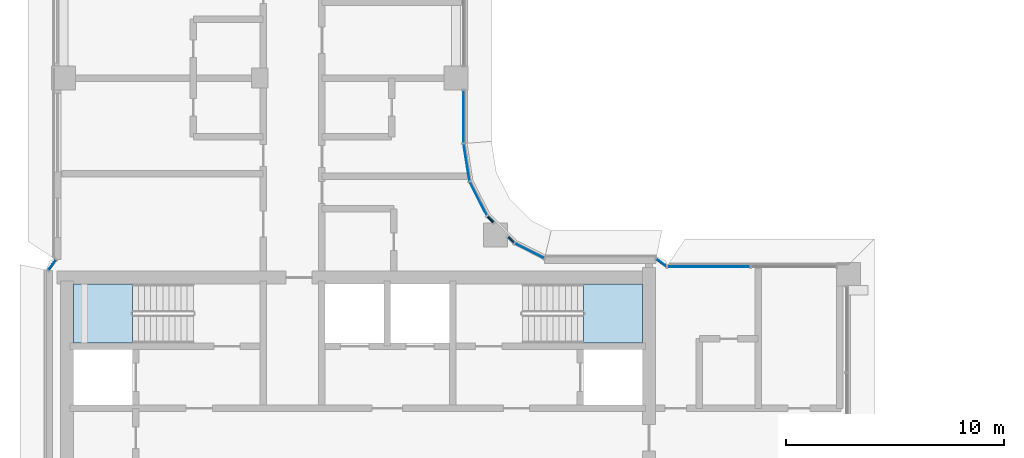
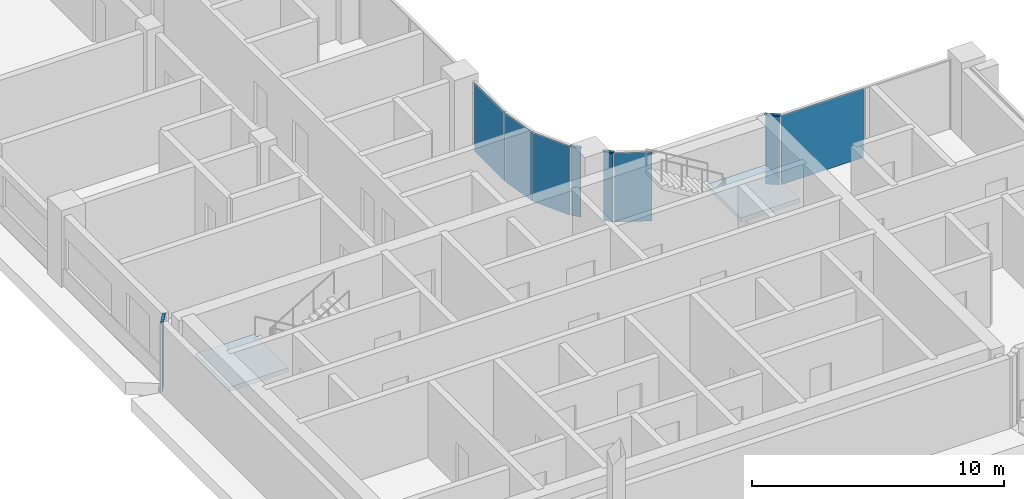
# One storey, part 7 of 24: 9 plates, 4 members, 2 slabs, 8 elements without a shape of their own.
"""IFC4 building model written with IfcOpenShell, lengths in metres."""

from ifc_helpers import new_model, si_unit, direction, frame, origin, origin_2d, place, context, subcontext, project, spatial, polyline, rectangle, outline, extrude, material, layer, layer_set, material_profile, profile_set, type_object, element, aggregate, save


model = new_model("IFC4")

# Units and contexts
model_context = context("Model", 3, precision=1e-05, world=origin(), true_north=direction((0.0, 1.0)))
body_context = subcontext(model_context, "Body", "Model", "MODEL_VIEW")
ifc_project = project(units=[si_unit("LENGTHUNIT", "METRE"), si_unit("AREAUNIT", "SQUARE_METRE"), si_unit("VOLUMEUNIT", "CUBIC_METRE"), si_unit("PLANEANGLEUNIT", "RADIAN"), si_unit("MASSUNIT", "GRAM", prefix="KILO")], contexts=[model_context])

# Site, building, storey
site_placement = place(None, origin())
site = spatial("IfcSite", under=ifc_project, at=site_placement, CompositionType="ELEMENT")
building_placement = place(site_placement, origin())
building = spatial("IfcBuilding", under=site, at=building_placement, Name="Ogive Portal Towers", CompositionType="ELEMENT")
storey_placement = place(building_placement, frame((0.0, 0.0, 153.300048828125)))
storey = spatial("IfcBuildingStorey", under=building, at=storey_placement, Name="L37", CompositionType="ELEMENT", Elevation=153.300048828125)

# Curtain wall, member
ifc_material_1 = material(Name="Glass, clear low-iron insulated glazing", Category="glass")
curtain_wall_type = type_object("IfcCurtainWallType", Name="CW FRONT RIBBON 4500", PredefinedType="NOTDEFINED", material=ifc_material_1)
curtain_wall_1_placement = place(storey_placement, origin())
curtain_wall_1 = element("IfcCurtainWall", 1, at=curtain_wall_1_placement, inside=storey, type_object=curtain_wall_type, Name="A:L37:f00:cwa", PredefinedType="NOTDEFINED")
ifc_material_2 = material(Name="Aluminium 6063 anodised", Category="aluminium")
ifc_material_profile = material_profile(ifc_material_2, rectangle(XDim=0.1201171875, YDim=0.06005859375, at=origin_2d()), Name="AL 120x60")
ifc_profile_set = profile_set([ifc_material_profile], Name="Aluminium 6063 anodised")
member_type = type_object("IfcMemberType", Name="CW TRANSOM 60x120", PredefinedType="USERDEFINED", material=ifc_profile_set)
member_1_placement = place(storey_placement, frame((59.180419921875, 39.844970703125, 3.369873046875), z_axis=(-0.803886334656, 0.594782952809, 0.0), x_axis=(-0.594782952809, -0.803886334656, 0.0)))
member_1 = element("IfcMember", 2, at=member_1_placement, type_object=member_type, Name="transom", ObjectType="TRANSOM", PredefinedType="USERDEFINED", context=body_context, shape_type="SweptSolid", body=[
    extrude(rectangle(XDim=0.1201171875, YDim=0.06005859375, at=origin_2d()), origin(), (0.0, 0.0, 1.0), 0.63037109375),
])

curtain_wall_2_placement = place(storey_placement, origin())
curtain_wall_2 = element("IfcCurtainWall", 3, at=curtain_wall_2_placement, inside=storey, type_object=curtain_wall_type, Name="A:L37:f02:cwa~0", PredefinedType="NOTDEFINED")
member_2_placement = place(storey_placement, frame((52.175537109375, 40.92431640625, 3.369873046875), z_axis=(-0.707106781187, 0.707106781187, 0.0), x_axis=(-0.707106781187, -0.707106781187, 0.0)))
member_2 = element("IfcMember", 4, at=member_2_placement, type_object=member_type, Name="transom", ObjectType="TRANSOM", PredefinedType="USERDEFINED", context=body_context, shape_type="SweptSolid", body=[
    extrude(rectangle(XDim=0.1201171875, YDim=0.06005859375, at=origin_2d()), origin(), (0.0, 0.0, 1.0), 0.446044921875),
])

curtain_wall_3_placement = place(storey_placement, origin())
curtain_wall_3 = element("IfcCurtainWall", 5, at=curtain_wall_3_placement, inside=storey, type_object=curtain_wall_type, Name="A:L37:f02:cwa~1", PredefinedType="NOTDEFINED")
member_3_placement = place(storey_placement, frame((51.23974609375, 41.860107421875, 3.369873046875), z_axis=(-0.707106781187, 0.707106781187, 0.0), x_axis=(-0.707106781187, -0.707106781187, 0.0)))
member_3 = element("IfcMember", 6, at=member_3_placement, type_object=member_type, Name="transom", ObjectType="TRANSOM", PredefinedType="USERDEFINED", context=body_context, shape_type="SweptSolid", body=[
    extrude(rectangle(XDim=0.1201171875, YDim=0.06005859375, at=origin_2d()), origin(), (0.0, 0.0, 1.0), 0.446044921875),
])

curtain_wall_4_placement = place(storey_placement, origin())
curtain_wall_4 = element("IfcCurtainWall", 7, at=curtain_wall_4_placement, inside=storey, type_object=curtain_wall_type, Name="A:L37:f14:cwa", PredefinedType="NOTDEFINED")
member_4_placement = place(storey_placement, frame((31.155029296875, 40.180419921875, 3.369873046875), z_axis=(-0.594782952809, -0.803886334656, 0.0), x_axis=(0.803886334656, -0.594782952809, 0.0)))
member_4 = element("IfcMember", 8, at=member_4_placement, type_object=member_type, Name="transom", ObjectType="TRANSOM", PredefinedType="USERDEFINED", context=body_context, shape_type="SweptSolid", body=[
    extrude(rectangle(XDim=0.1201171875, YDim=0.06005859375, at=origin_2d()), origin(), (0.0, 0.0, 1.0), 0.63037109375),
])

# Curtain wall, plate
curtain_wall_5_placement = place(storey_placement, origin())
curtain_wall_5 = element("IfcCurtainWall", 9, at=curtain_wall_5_placement, inside=storey, type_object=curtain_wall_type, Name="A:L37:f06:cw0~0", PredefinedType="NOTDEFINED")
ifc_layer_1 = layer(ifc_material_1, 0.028076171875)
ifc_layer_set_1 = layer_set([ifc_layer_1], Name="CW PANEL IGU 28")
plate_type = type_object("IfcPlateType", Name="CW PANEL IGU 28", PredefinedType="CURTAIN_PANEL", material=ifc_layer_set_1)
plate_1_placement = place(storey_placement, frame((49.844970703125, 46.721923828125, 0.0), z_axis=(0.0, 0.0, 1.0), x_axis=(0.0, 1.0, 0.0)))
plate_1 = element("IfcPlate", 10, at=plate_1_placement, type_object=plate_type, Name="panel", PredefinedType="CURTAIN_PANEL", context=body_context, shape_type="SweptSolid", body=[
    extrude(rectangle(XDim=2.396240234375, YDim=0.028076171875, at=origin_2d()), origin(), (0.0, 0.0, 1.0), 3.340087890625),
])
aggregate(curtain_wall_5, [plate_1])

curtain_wall_6_placement = place(storey_placement, origin())
curtain_wall_6 = element("IfcCurtainWall", 11, at=curtain_wall_6_placement, inside=storey, type_object=curtain_wall_type, Name="A:L37:f23:cw0", PredefinedType="NOTDEFINED")
plate_2_placement = place(storey_placement, frame((61.09033203125, 39.844970703125, 0.0), z_axis=(0.0, 0.0, 1.0), x_axis=(-1.0, 0.0, 0.0)))
plate_2 = element("IfcPlate", 12, at=plate_2_placement, type_object=plate_type, Name="panel", PredefinedType="CURTAIN_PANEL", context=body_context, shape_type="SweptSolid", body=[
    extrude(rectangle(XDim=3.759521484375, YDim=0.028076171875, at=origin_2d()), origin(), (0.0, 0.0, 1.0), 3.340087890625),
])
aggregate(curtain_wall_6, [plate_2])

# Plate
plate_3_placement = place(storey_placement, frame((58.927001953125, 40.032470703125, 0.0), z_axis=(0.0, 0.0, 1.0), x_axis=(-0.803867261991, 0.594808729844, 0.0)))
plate_3 = element("IfcPlate", 13, at=plate_3_placement, type_object=plate_type, Name="panel", PredefinedType="CURTAIN_PANEL", context=body_context, shape_type="SweptSolid", body=[
    extrude(rectangle(XDim=0.570556640625, YDim=0.028076171875, at=origin_2d()), origin(), (0.0, 0.0, 1.0), 3.340087890625),
])

aggregate(curtain_wall_1, [member_1, plate_3])

plate_4_placement = place(storey_placement, frame((52.866455078125, 40.572021484375, 0.0), z_axis=(0.0, 0.0, 1.0), x_axis=(-0.891006524188, 0.45399049974, 0.0)))
plate_4 = element("IfcPlate", 14, at=plate_4_placement, type_object=plate_type, Name="panel", PredefinedType="CURTAIN_PANEL", context=body_context, shape_type="SweptSolid", body=[
    extrude(rectangle(XDim=1.4912109375, YDim=0.028076171875, at=origin_2d()), origin(), (0.0, 0.0, 1.0), 3.340087890625),
])

plate_5_placement = place(storey_placement, frame((52.017822265625, 41.08203125, 0.0), z_axis=(0.0, 0.0, 1.0), x_axis=(-0.707106781187, 0.707106781187, 0.0)))
plate_5 = element("IfcPlate", 15, at=plate_5_placement, type_object=plate_type, Name="panel", PredefinedType="CURTAIN_PANEL", context=body_context, shape_type="SweptSolid", body=[
    extrude(rectangle(XDim=0.38623046875, YDim=0.028076171875, at=origin_2d()), origin(), (0.0, 0.0, 1.0), 3.340087890625),
])

aggregate(curtain_wall_2, [member_2, plate_4, plate_5])

plate_6_placement = place(storey_placement, frame((51.08203125, 42.017822265625, 0.0), z_axis=(0.0, 0.0, 1.0), x_axis=(-0.707106781187, 0.707106781187, 0.0)))
plate_6 = element("IfcPlate", 16, at=plate_6_placement, type_object=plate_type, Name="panel", PredefinedType="CURTAIN_PANEL", context=body_context, shape_type="SweptSolid", body=[
    extrude(rectangle(XDim=0.38623046875, YDim=0.028076171875, at=origin_2d()), origin(), (0.0, 0.0, 1.0), 3.340087890625),
])

plate_7_placement = place(storey_placement, frame((50.5224609375, 42.9638671875, 0.0), z_axis=(0.0, 0.0, 1.0), x_axis=(-0.45399049974, 0.891006524188, 0.0)))
plate_7 = element("IfcPlate", 17, at=plate_7_placement, type_object=plate_type, Name="panel", PredefinedType="CURTAIN_PANEL", context=body_context, shape_type="SweptSolid", body=[
    extrude(rectangle(XDim=1.70947265625, YDim=0.028076171875, at=origin_2d()), origin(), (0.0, 0.0, 1.0), 3.340087890625),
])

plate_8_placement = place(storey_placement, frame((49.98291015625, 44.623046875, 0.0), z_axis=(0.0, 0.0, 1.0), x_axis=(-0.15643446504, 0.987688340595, 0.0)))
plate_8 = element("IfcPlate", 18, at=plate_8_placement, type_object=plate_type, Name="panel", PredefinedType="CURTAIN_PANEL", context=body_context, shape_type="SweptSolid", body=[
    extrude(rectangle(XDim=1.703125, YDim=0.028076171875, at=origin_2d()), origin(), (0.0, 0.0, 1.0), 3.340087890625),
])

aggregate(curtain_wall_3, [member_3, plate_6, plate_7, plate_8])

plate_9_placement = place(storey_placement, frame((30.967529296875, 39.927001953125, 0.0), z_axis=(0.0, 0.0, 1.0), x_axis=(-0.594808729844, -0.803867261991, 0.0)))
plate_9 = element("IfcPlate", 19, at=plate_9_placement, type_object=plate_type, Name="panel", PredefinedType="CURTAIN_PANEL", context=body_context, shape_type="SweptSolid", body=[
    extrude(rectangle(XDim=0.570556640625, YDim=0.028076171875, at=origin_2d()), origin(), (0.0, 0.0, 1.0), 3.340087890625),
])

aggregate(curtain_wall_4, [member_4, plate_9])

# Stair, slab
ifc_material_3 = material(Name="Concrete C40/50", Category="concrete")
stair_type = type_object("IfcStairType", Name="INT-STAIR", PredefinedType="HALF_TURN_STAIR", material=ifc_material_3)
stair_1_placement = place(storey_placement, origin())
stair_1 = element("IfcStair", 20, at=stair_1_placement, inside=storey, type_object=stair_type, Name="L37 Exit Stair ST-A1", PredefinedType="HALF_TURN_STAIR")
ifc_layer_2 = layer(ifc_material_3, 0.199951171875)
ifc_layer_set_2 = layer_set([ifc_layer_2], Name="INT-LANDING")
slab_type = type_object("IfcSlabType", Name="INT-LANDING", PredefinedType="LANDING", material=ifc_layer_set_2)
slab_1_placement = place(storey_placement, frame((0.0, 0.0, 1.64990234375)))
slab_1 = element("IfcSlab", 21, at=slab_1_placement, type_object=slab_type, Name="ST-A1 landing 1", PredefinedType="LANDING", context=body_context, shape_type="SweptSolid", body=[
    extrude(outline(polyline([(34.64990234375, 39.050048828125), (31.949951171875, 39.050048828125), (31.949951171875, 36.35009765625), (34.64990234375, 36.35009765625), (34.64990234375, 39.050048828125)])), origin(), (0.0, 0.0, 1.0), 0.199951171875),
])
aggregate(stair_1, [slab_1])

stair_2_placement = place(storey_placement, origin())
stair_2 = element("IfcStair", 22, at=stair_2_placement, inside=storey, type_object=stair_type, Name="L37 Exit Stair ST-A2", PredefinedType="HALF_TURN_STAIR")
slab_2_placement = place(storey_placement, frame((0.0, 0.0, 1.64990234375)))
slab_2 = element("IfcSlab", 23, at=slab_2_placement, type_object=slab_type, Name="ST-A2 landing 1", PredefinedType="LANDING", context=body_context, shape_type="SweptSolid", body=[
    extrude(outline(polyline([(55.35009765625, 36.35009765625), (58.050048828125, 36.35009765625), (58.050048828125, 39.050048828125), (55.35009765625, 39.050048828125), (55.35009765625, 36.35009765625)])), origin(), (0.0, 0.0, 1.0), 0.199951171875),
])
aggregate(stair_2, [slab_2])

save(model, "model.ifc")
